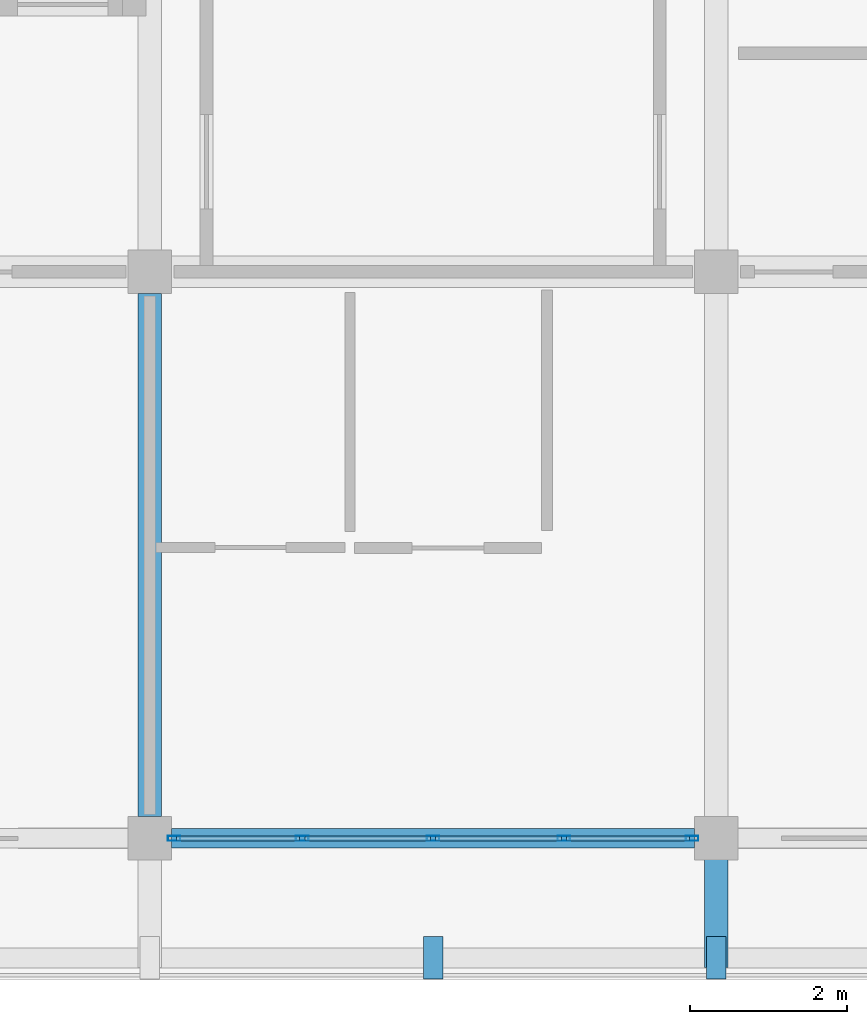
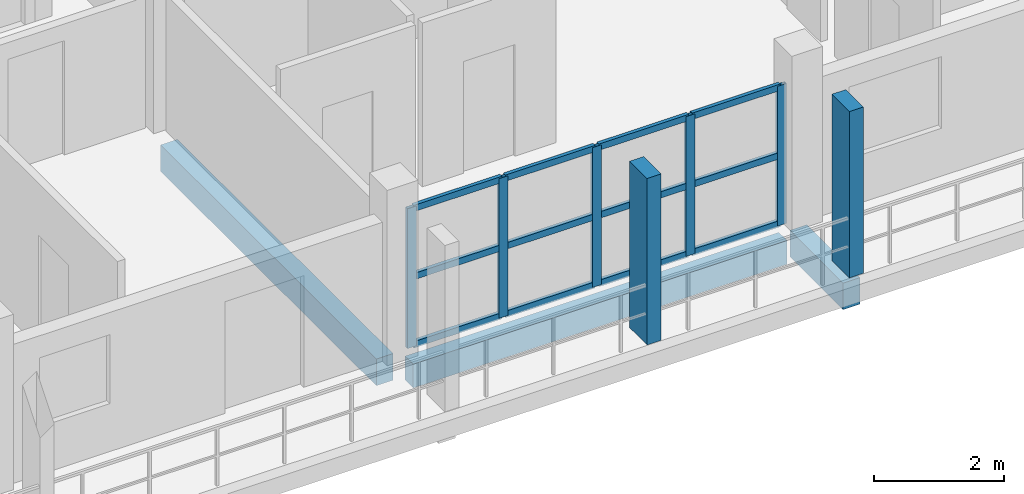
# One storey, part 17 of 60: 19 members, 3 beams, 1 element without a shape of its own.
"""IFC4 building model written with IfcOpenShell, lengths in metres."""

from ifc_helpers import new_model, si_unit, direction, frame, origin, origin_2d, place, context, subcontext, project, spatial, rectangle, hollow_rectangle, extrude, material, material_profile, profile_set, type_object, element, aggregate, save


model = new_model("IFC4")

# Units and contexts
model_context = context("Model", 3, precision=1e-05, world=origin(), true_north=direction((0.0, 1.0)))
body_context = subcontext(model_context, "Body", "Model", "MODEL_VIEW")
ifc_project = project(units=[si_unit("LENGTHUNIT", "METRE"), si_unit("AREAUNIT", "SQUARE_METRE"), si_unit("VOLUMEUNIT", "CUBIC_METRE"), si_unit("PLANEANGLEUNIT", "RADIAN"), si_unit("MASSUNIT", "GRAM", prefix="KILO")], contexts=[model_context])

# Site, building, storey
site_placement = place(None, origin())
site = spatial("IfcSite", under=ifc_project, at=site_placement, CompositionType="ELEMENT")
building_placement = place(site_placement, origin())
building = spatial("IfcBuilding", under=site, at=building_placement, Name="Suanplinth Sawtooth Commons", CompositionType="ELEMENT")
storey_placement = place(building_placement, frame((0.0, 0.0, 31.5)))
storey = spatial("IfcBuildingStorey", under=building, at=storey_placement, Name="L09", CompositionType="ELEMENT", Elevation=31.5)

# Beams
ifc_material_1 = material(Name="Precast concrete C40/50", Category="concrete")
ifc_material_profile_1 = material_profile(ifc_material_1, rectangle(XDim=0.300048828125, YDim=0.5, at=origin_2d()), Name="PC-BM 300x500")
ifc_profile_set_1 = profile_set([ifc_material_profile_1], Name="Precast concrete C40/50")
beam_type_1 = type_object("IfcBeamType", Name="B-07", PredefinedType="BEAM", material=ifc_profile_set_1)
beam_1_placement = place(storey_placement, frame((144.0, 0.27490234375, -0.5), z_axis=(0.0, 1.0, 0.0), x_axis=(-1.0, 0.0, 0.0)))
element("IfcBeam", 1, at=beam_1_placement, inside=storey, type_object=beam_type_1, Name="BMY-L09-C-20-0", PredefinedType="BEAM", context=body_context, shape_type="SweptSolid", body=[
    extrude(rectangle(XDim=0.300048828125, YDim=0.5, at=origin_2d()), origin(), (0.0, 0.0, 1.0), 6.650146484375),
])
beam_2_placement = place(storey_placement, frame((151.199951171875, 0.0, -0.429931640625), z_axis=(0.0, -1.0, 0.0), x_axis=(1.0, 0.0, 0.0)))
element("IfcBeam", 2, at=beam_2_placement, inside=storey, type_object=beam_type_1, Name="Balcony Outrigger L09-C-S-21", PredefinedType="BEAM", context=body_context, shape_type="SweptSolid", body=[
    extrude(rectangle(XDim=0.300048828125, YDim=0.5, at=origin_2d()), origin(), (0.0, 0.0, 1.0), 1.639892578125),
])
ifc_material_profile_2 = material_profile(ifc_material_1, rectangle(XDim=0.25, YDim=0.449951171875, at=origin_2d()), Name="PC-SP 250x450")
ifc_profile_set_2 = profile_set([ifc_material_profile_2], Name="Precast concrete C40/50")
beam_type_2 = type_object("IfcBeamType", Name="B-09", PredefinedType="SPANDREL", material=ifc_profile_set_2)
beam_3_placement = place(storey_placement, frame((144.27490234375, 0.0, -0.47509765625), z_axis=(1.0, 0.0, 0.0), x_axis=(0.0, 1.0, 0.0)))
element("IfcBeam", 3, at=beam_3_placement, inside=storey, type_object=beam_type_2, Name="BMX-L09-C-20-0", PredefinedType="SPANDREL", context=body_context, shape_type="SweptSolid", body=[
    extrude(rectangle(XDim=0.25, YDim=0.449951171875, at=origin_2d()), origin(), (0.0, 0.0, 1.0), 6.650146484375),
])

# Members
ifc_material_2 = material(Name="Pigmented precast concrete C40/50", Category="concrete")
ifc_material_profile_3 = material_profile(ifc_material_2, rectangle(XDim=0.25, YDim=0.5400390625, at=origin_2d()), Name="PC-FIN 250x540")
ifc_profile_set_3 = profile_set([ifc_material_profile_3], Name="Pigmented precast concrete C40/50")
member_type_1 = type_object("IfcMemberType", Name="M-11", PredefinedType="USERDEFINED", material=ifc_profile_set_3)
for number, where, z_axis, x_axis, name in (
    (4, (147.60009765625, -1.52001953125, 0.0), (0.0, 0.0, 1.0), (1.0, 0.0, 0.0), "Upright Solar Blade L09-C-S-03"),
    (5, (151.199951171875, -1.52001953125, 0.0), (0.0, 0.0, 1.0), (1.0, 0.0, 0.0), "Upright Solar Blade L09-C-S-04"),
):
    element("IfcMember", number, at=place(storey_placement, frame(where, z_axis=z_axis, x_axis=x_axis)), inside=storey, type_object=member_type_1, Name=name, ObjectType="SHADING FIN", PredefinedType="USERDEFINED", context=body_context, shape_type="SweptSolid", body=[
        extrude(rectangle(XDim=0.25, YDim=0.5400390625, at=origin_2d()), origin(), (0.0, 0.0, 1.0), 3.1298828125),
    ])

# Curtain wall, members
ifc_material_3 = material(Name="Anodized aluminium and low-E glazing", Category="aluminium")
curtain_wall_type = type_object("IfcCurtainWallType", Name="CW-06", PredefinedType="USERDEFINED", material=ifc_material_3)
curtain_wall_placement = place(storey_placement, origin())
curtain_wall = element("IfcCurtainWall", 6, at=curtain_wall_placement, inside=storey, type_object=curtain_wall_type, Name="Curtain Wall CW-L09-C-LOUNGE-20", ObjectType="CURTAIN WALL", PredefinedType="USERDEFINED")
ifc_material_4 = material(Name="Anodized aluminium 6063-T6", Category="aluminium")
ifc_material_profile_4 = material_profile(ifc_material_4, hollow_rectangle(XDim=0.06494140625, YDim=0.159912109375, WallThickness=0.00390625, at=origin_2d()), Name="ALU-MUL 65x160")
ifc_profile_set_4 = profile_set([ifc_material_profile_4], Name="Anodized aluminium 6063-T6")
member_type_2 = type_object("IfcMemberType", Name="M-13", PredefinedType="MULLION", material=ifc_profile_set_4)
member_1_placement = place(storey_placement, frame((144.3076171875, 0.0, 0.0), z_axis=(0.0, 0.0, 1.0), x_axis=(0.0, 1.0, 0.0)))
member_1 = element("IfcMember", 7, at=member_1_placement, type_object=member_type_2, Name="CW-06 mullion 1", PredefinedType="MULLION", context=body_context, shape_type="SweptSolid", body=[
    extrude(hollow_rectangle(XDim=0.06494140625, YDim=0.159912109375, WallThickness=0.00390625, at=origin_2d()), origin(), (0.0, 0.0, 1.0), 2.6298828125),
])
member_2_placement = place(storey_placement, frame((145.9375, 0.0, 0.0), z_axis=(0.0, 0.0, 1.0), x_axis=(0.0, 1.0, 0.0)))
member_2 = element("IfcMember", 8, at=member_2_placement, type_object=member_type_2, Name="CW-06 mullion 2", PredefinedType="MULLION", context=body_context, shape_type="SweptSolid", body=[
    extrude(hollow_rectangle(XDim=0.06494140625, YDim=0.159912109375, WallThickness=0.00390625, at=origin_2d()), origin(), (0.0, 0.0, 1.0), 2.6298828125),
])
member_3_placement = place(storey_placement, frame((147.60009765625, 0.0, 0.0), z_axis=(0.0, 0.0, 1.0), x_axis=(0.0, 1.0, 0.0)))
member_3 = element("IfcMember", 9, at=member_3_placement, type_object=member_type_2, Name="CW-06 mullion 3", PredefinedType="MULLION", context=body_context, shape_type="SweptSolid", body=[
    extrude(hollow_rectangle(XDim=0.06494140625, YDim=0.159912109375, WallThickness=0.00390625, at=origin_2d()), origin(), (0.0, 0.0, 1.0), 2.6298828125),
])
member_4_placement = place(storey_placement, frame((149.262451171875, 0.0, 0.0), z_axis=(0.0, 0.0, 1.0), x_axis=(0.0, 1.0, 0.0)))
member_4 = element("IfcMember", 10, at=member_4_placement, type_object=member_type_2, Name="CW-06 mullion 4", PredefinedType="MULLION", context=body_context, shape_type="SweptSolid", body=[
    extrude(hollow_rectangle(XDim=0.06494140625, YDim=0.159912109375, WallThickness=0.00390625, at=origin_2d()), origin(), (0.0, 0.0, 1.0), 2.6298828125),
])
member_5_placement = place(storey_placement, frame((150.892578125, 0.0, 0.0), z_axis=(0.0, 0.0, 1.0), x_axis=(0.0, 1.0, 0.0)))
member_5 = element("IfcMember", 11, at=member_5_placement, type_object=member_type_2, Name="CW-06 mullion 5", PredefinedType="MULLION", context=body_context, shape_type="SweptSolid", body=[
    extrude(hollow_rectangle(XDim=0.06494140625, YDim=0.159912109375, WallThickness=0.00390625, at=origin_2d()), origin(), (0.0, 0.0, 1.0), 2.6298828125),
])
ifc_material_profile_5 = material_profile(ifc_material_4, hollow_rectangle(XDim=0.06494140625, YDim=0.1201171875, WallThickness=0.00390625, at=origin_2d()), Name="ALU-TRN 65x120")
ifc_profile_set_5 = profile_set([ifc_material_profile_5], Name="Anodized aluminium 6063-T6")
member_type_3 = type_object("IfcMemberType", Name="M-15", PredefinedType="USERDEFINED", material=ifc_profile_set_5)
member_6_placement = place(storey_placement, frame((144.340087890625, 0.0, 0.032470703125), z_axis=(1.0, 0.0, 0.0), x_axis=(0.0, 1.0, 0.0)))
member_6 = element("IfcMember", 12, at=member_6_placement, type_object=member_type_3, Name="CW-06 transom 1.1", ObjectType="TRANSOM", PredefinedType="USERDEFINED", context=body_context, shape_type="SweptSolid", body=[
    extrude(hollow_rectangle(XDim=0.06494140625, YDim=0.1201171875, WallThickness=0.00390625, at=origin_2d()), origin(), (0.0, 0.0, 1.0), 1.56494140625),
])
member_7_placement = place(storey_placement, frame((144.340087890625, 0.0, 1.31494140625), z_axis=(1.0, 0.0, 0.0), x_axis=(0.0, 1.0, 0.0)))
member_7 = element("IfcMember", 13, at=member_7_placement, type_object=member_type_3, Name="CW-06 transom 1.2", ObjectType="TRANSOM", PredefinedType="USERDEFINED", context=body_context, shape_type="SweptSolid", body=[
    extrude(hollow_rectangle(XDim=0.06494140625, YDim=0.1201171875, WallThickness=0.00390625, at=origin_2d()), origin(), (0.0, 0.0, 1.0), 1.56494140625),
])
member_8_placement = place(storey_placement, frame((144.340087890625, 0.0, 2.597412109375), z_axis=(1.0, 0.0, 0.0), x_axis=(0.0, 1.0, 0.0)))
member_8 = element("IfcMember", 14, at=member_8_placement, type_object=member_type_3, Name="CW-06 transom 1.3", ObjectType="TRANSOM", PredefinedType="USERDEFINED", context=body_context, shape_type="SweptSolid", body=[
    extrude(hollow_rectangle(XDim=0.06494140625, YDim=0.1201171875, WallThickness=0.00390625, at=origin_2d()), origin(), (0.0, 0.0, 1.0), 1.56494140625),
])
member_9_placement = place(storey_placement, frame((145.969970703125, 0.0, 0.032470703125), z_axis=(1.0, 0.0, 0.0), x_axis=(0.0, 1.0, 0.0)))
member_9 = element("IfcMember", 15, at=member_9_placement, type_object=member_type_3, Name="CW-06 transom 2.1", ObjectType="TRANSOM", PredefinedType="USERDEFINED", context=body_context, shape_type="SweptSolid", body=[
    extrude(hollow_rectangle(XDim=0.06494140625, YDim=0.1201171875, WallThickness=0.00390625, at=origin_2d()), origin(), (0.0, 0.0, 1.0), 1.597412109375),
])
member_10_placement = place(storey_placement, frame((145.969970703125, 0.0, 1.31494140625), z_axis=(1.0, 0.0, 0.0), x_axis=(0.0, 1.0, 0.0)))
member_10 = element("IfcMember", 16, at=member_10_placement, type_object=member_type_3, Name="CW-06 transom 2.2", ObjectType="TRANSOM", PredefinedType="USERDEFINED", context=body_context, shape_type="SweptSolid", body=[
    extrude(hollow_rectangle(XDim=0.06494140625, YDim=0.1201171875, WallThickness=0.00390625, at=origin_2d()), origin(), (0.0, 0.0, 1.0), 1.597412109375),
])
member_11_placement = place(storey_placement, frame((145.969970703125, 0.0, 2.597412109375), z_axis=(1.0, 0.0, 0.0), x_axis=(0.0, 1.0, 0.0)))
member_11 = element("IfcMember", 17, at=member_11_placement, type_object=member_type_3, Name="CW-06 transom 2.3", ObjectType="TRANSOM", PredefinedType="USERDEFINED", context=body_context, shape_type="SweptSolid", body=[
    extrude(hollow_rectangle(XDim=0.06494140625, YDim=0.1201171875, WallThickness=0.00390625, at=origin_2d()), origin(), (0.0, 0.0, 1.0), 1.597412109375),
])
member_12_placement = place(storey_placement, frame((147.632568359375, 0.0, 0.032470703125), z_axis=(1.0, 0.0, 0.0), x_axis=(0.0, 1.0, 0.0)))
member_12 = element("IfcMember", 18, at=member_12_placement, type_object=member_type_3, Name="CW-06 transom 3.1", ObjectType="TRANSOM", PredefinedType="USERDEFINED", context=body_context, shape_type="SweptSolid", body=[
    extrude(hollow_rectangle(XDim=0.06494140625, YDim=0.1201171875, WallThickness=0.00390625, at=origin_2d()), origin(), (0.0, 0.0, 1.0), 1.597412109375),
])
member_13_placement = place(storey_placement, frame((147.632568359375, 0.0, 1.31494140625), z_axis=(1.0, 0.0, 0.0), x_axis=(0.0, 1.0, 0.0)))
member_13 = element("IfcMember", 19, at=member_13_placement, type_object=member_type_3, Name="CW-06 transom 3.2", ObjectType="TRANSOM", PredefinedType="USERDEFINED", context=body_context, shape_type="SweptSolid", body=[
    extrude(hollow_rectangle(XDim=0.06494140625, YDim=0.1201171875, WallThickness=0.00390625, at=origin_2d()), origin(), (0.0, 0.0, 1.0), 1.597412109375),
])
member_14_placement = place(storey_placement, frame((147.632568359375, 0.0, 2.597412109375), z_axis=(1.0, 0.0, 0.0), x_axis=(0.0, 1.0, 0.0)))
member_14 = element("IfcMember", 20, at=member_14_placement, type_object=member_type_3, Name="CW-06 transom 3.3", ObjectType="TRANSOM", PredefinedType="USERDEFINED", context=body_context, shape_type="SweptSolid", body=[
    extrude(hollow_rectangle(XDim=0.06494140625, YDim=0.1201171875, WallThickness=0.00390625, at=origin_2d()), origin(), (0.0, 0.0, 1.0), 1.597412109375),
])
member_15_placement = place(storey_placement, frame((149.294921875, 0.0, 0.032470703125), z_axis=(1.0, 0.0, 0.0), x_axis=(0.0, 1.0, 0.0)))
member_15 = element("IfcMember", 21, at=member_15_placement, type_object=member_type_3, Name="CW-06 transom 4.1", ObjectType="TRANSOM", PredefinedType="USERDEFINED", context=body_context, shape_type="SweptSolid", body=[
    extrude(hollow_rectangle(XDim=0.06494140625, YDim=0.1201171875, WallThickness=0.00390625, at=origin_2d()), origin(), (0.0, 0.0, 1.0), 1.565185546875),
])
member_16_placement = place(storey_placement, frame((149.294921875, 0.0, 1.31494140625), z_axis=(1.0, 0.0, 0.0), x_axis=(0.0, 1.0, 0.0)))
member_16 = element("IfcMember", 22, at=member_16_placement, type_object=member_type_3, Name="CW-06 transom 4.2", ObjectType="TRANSOM", PredefinedType="USERDEFINED", context=body_context, shape_type="SweptSolid", body=[
    extrude(hollow_rectangle(XDim=0.06494140625, YDim=0.1201171875, WallThickness=0.00390625, at=origin_2d()), origin(), (0.0, 0.0, 1.0), 1.565185546875),
])
member_17_placement = place(storey_placement, frame((149.294921875, 0.0, 2.597412109375), z_axis=(1.0, 0.0, 0.0), x_axis=(0.0, 1.0, 0.0)))
member_17 = element("IfcMember", 23, at=member_17_placement, type_object=member_type_3, Name="CW-06 transom 4.3", ObjectType="TRANSOM", PredefinedType="USERDEFINED", context=body_context, shape_type="SweptSolid", body=[
    extrude(hollow_rectangle(XDim=0.06494140625, YDim=0.1201171875, WallThickness=0.00390625, at=origin_2d()), origin(), (0.0, 0.0, 1.0), 1.565185546875),
])
aggregate(curtain_wall, [member_1, member_2, member_3, member_4, member_5, member_6, member_7, member_8, member_9, member_10, member_11, member_12, member_13, member_14, member_15, member_16, member_17])

save(model, "model.ifc")
